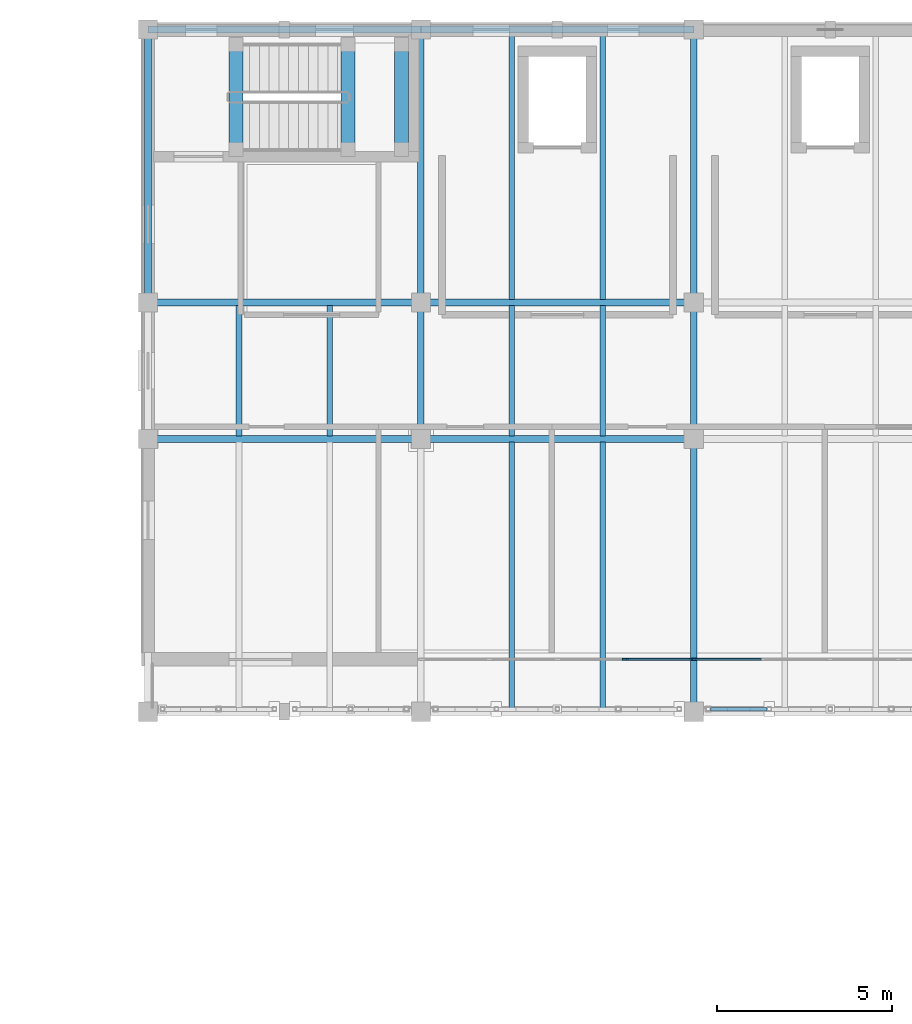
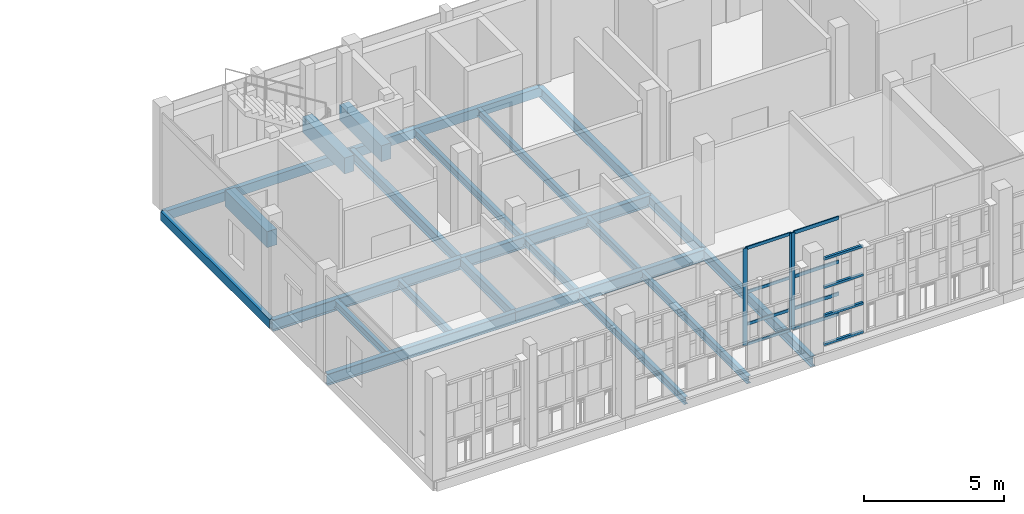
# One storey, part 49 of 119: 23 beams, 15 members, 2 elements without a shape of their own.
"""IFC4 building model written with IfcOpenShell, lengths in metres."""

from ifc_helpers import new_model, si_unit, direction, frame, origin, origin_2d, place, context, subcontext, project, spatial, rectangle, hollow_rectangle, i_section, extrude, material, layer, layer_set, material_profile, profile_set, type_object, element, aggregate, save


model = new_model("IFC4")

# Units and contexts
model_context = context("Model", 3, precision=1e-05, world=origin(), true_north=direction((0.0, 1.0)))
body_context = subcontext(model_context, "Body", "Model", "MODEL_VIEW")
ifc_project = project(units=[si_unit("LENGTHUNIT", "METRE"), si_unit("AREAUNIT", "SQUARE_METRE"), si_unit("VOLUMEUNIT", "CUBIC_METRE"), si_unit("PLANEANGLEUNIT", "RADIAN"), si_unit("MASSUNIT", "GRAM", prefix="KILO")], contexts=[model_context])

# Site, building, storey
site_placement = place(None, origin())
site = spatial("IfcSite", under=ifc_project, at=site_placement, CompositionType="ELEMENT")
building_placement = place(site_placement, origin())
building = spatial("IfcBuilding", under=site, at=building_placement, Name="Celorna Specialist Clinic", CompositionType="ELEMENT")
storey_placement = place(building_placement, frame((0.0, 0.0, 9.60009765625)))
storey = spatial("IfcBuildingStorey", under=building, at=storey_placement, Name="L02", CompositionType="ELEMENT", Elevation=9.60009765625)

# Beams
ifc_material_1 = material(Name="Steel S355", Category="steel")
ifc_material_profile_1 = material_profile(ifc_material_1, i_section(OverallWidth=0.199951171875, OverallDepth=0.5, WebThickness=0.01025390625, FlangeThickness=0.01611328125, at=origin_2d()), Name="IPE 500")
ifc_profile_set_1 = profile_set([ifc_material_profile_1], Name="Steel S355")
beam_type_1 = type_object("IfcBeamType", Name="BM-08", PredefinedType="BEAM", material=ifc_profile_set_1)
beam_1_placement = place(storey_placement, frame((46.800048828125, 104.300048828125, -0.510009765625), z_axis=(1.0, 0.0, 0.0), x_axis=(0.0, 1.0, 0.0)))
element("IfcBeam", 1, at=beam_1_placement, inside=storey, type_object=beam_type_1, Name="Primary girder BM-08 #1077", PredefinedType="BEAM", context=body_context, shape_type="SweptSolid", body=[
    extrude(i_section(OverallWidth=0.199951171875, OverallDepth=0.5, WebThickness=0.01025390625, FlangeThickness=0.01611328125, at=origin_2d()), origin(), (0.0, 0.0, 1.0), 7.800048828125),
])
beam_2_placement = place(storey_placement, frame((54.60009765625, 104.300048828125, -0.510009765625), z_axis=(1.0, 0.0, 0.0), x_axis=(0.0, 1.0, 0.0)))
element("IfcBeam", 2, at=beam_2_placement, inside=storey, type_object=beam_type_1, Name="Primary girder BM-08 #1078", PredefinedType="BEAM", context=body_context, shape_type="SweptSolid", body=[
    extrude(i_section(OverallWidth=0.199951171875, OverallDepth=0.5, WebThickness=0.01025390625, FlangeThickness=0.01611328125, at=origin_2d()), origin(), (0.0, 0.0, 1.0), 7.7998046875),
])
beam_3_placement = place(storey_placement, frame((46.800048828125, 108.199951171875, -0.510009765625), z_axis=(1.0, 0.0, 0.0), x_axis=(0.0, 1.0, 0.0)))
element("IfcBeam", 3, at=beam_3_placement, inside=storey, type_object=beam_type_1, Name="Primary girder BM-08 #1088", PredefinedType="BEAM", context=body_context, shape_type="SweptSolid", body=[
    extrude(i_section(OverallWidth=0.199951171875, OverallDepth=0.5, WebThickness=0.01025390625, FlangeThickness=0.01611328125, at=origin_2d()), origin(), (0.0, 0.0, 1.0), 7.800048828125),
])
beam_4_placement = place(storey_placement, frame((54.60009765625, 108.199951171875, -0.510009765625), z_axis=(1.0, 0.0, 0.0), x_axis=(0.0, 1.0, 0.0)))
element("IfcBeam", 4, at=beam_4_placement, inside=storey, type_object=beam_type_1, Name="Primary girder BM-08 #1089", PredefinedType="BEAM", context=body_context, shape_type="SweptSolid", body=[
    extrude(i_section(OverallWidth=0.199951171875, OverallDepth=0.5, WebThickness=0.01025390625, FlangeThickness=0.01611328125, at=origin_2d()), origin(), (0.0, 0.0, 1.0), 7.7998046875),
])
ifc_material_profile_2 = material_profile(ifc_material_1, i_section(OverallWidth=0.18994140625, OverallDepth=0.449951171875, WebThickness=0.009521484375, FlangeThickness=0.0146484375, at=origin_2d()), Name="IPE 450")
ifc_profile_set_2 = profile_set([ifc_material_profile_2], Name="Steel S355")
beam_type_2 = type_object("IfcBeamType", Name="BM-09", PredefinedType="BEAM", material=ifc_profile_set_2)
beam_5_placement = place(storey_placement, frame((54.60009765625, 104.300048828125, -0.485107421875), z_axis=(0.0, 1.0, 0.0), x_axis=(-1.0, 0.0, 0.0)))
element("IfcBeam", 5, at=beam_5_placement, inside=storey, type_object=beam_type_2, Name="Transverse girder BM-09 #1114", PredefinedType="BEAM", context=body_context, shape_type="SweptSolid", body=[
    extrude(i_section(OverallWidth=0.18994140625, OverallDepth=0.449951171875, WebThickness=0.009521484375, FlangeThickness=0.0146484375, at=origin_2d()), origin(), (0.0, 0.0, 1.0), 3.89990234375),
])
for number, where, z_axis, x_axis, name in (
    (6, (54.60009765625, 108.199951171875, -0.485107421875), (0.0, 1.0, 0.0), (-1.0, 0.0, 0.0), "Transverse girder BM-09 #1115"),
    (7, (62.39990234375, 96.5, -0.485107421875), (0.0, 1.0, 0.0), (-1.0, 0.0, 0.0), "Transverse girder BM-09 #1116"),
):
    element("IfcBeam", number, at=place(storey_placement, frame(where, z_axis=z_axis, x_axis=x_axis)), inside=storey, type_object=beam_type_2, Name=name, PredefinedType="BEAM", context=body_context, shape_type="SweptSolid", body=[
        extrude(i_section(OverallWidth=0.18994140625, OverallDepth=0.449951171875, WebThickness=0.009521484375, FlangeThickness=0.0146484375, at=origin_2d()), origin(), (0.0, 0.0, 1.0), 7.800048828125),
    ])
beam_6_placement = place(storey_placement, frame((62.39990234375, 104.300048828125, -0.485107421875), z_axis=(0.0, 1.0, 0.0), x_axis=(-1.0, 0.0, 0.0)))
element("IfcBeam", 8, at=beam_6_placement, inside=storey, type_object=beam_type_2, Name="Transverse girder BM-09 #1117", PredefinedType="BEAM", context=body_context, shape_type="SweptSolid", body=[
    extrude(i_section(OverallWidth=0.18994140625, OverallDepth=0.449951171875, WebThickness=0.009521484375, FlangeThickness=0.0146484375, at=origin_2d()), origin(), (0.0, 0.0, 1.0), 3.89990234375),
])
beam_7_placement = place(storey_placement, frame((62.39990234375, 108.199951171875, -0.485107421875), z_axis=(0.0, 1.0, 0.0), x_axis=(-1.0, 0.0, 0.0)))
element("IfcBeam", 9, at=beam_7_placement, inside=storey, type_object=beam_type_2, Name="Transverse girder BM-09 #1118", PredefinedType="BEAM", context=body_context, shape_type="SweptSolid", body=[
    extrude(i_section(OverallWidth=0.18994140625, OverallDepth=0.449951171875, WebThickness=0.009521484375, FlangeThickness=0.0146484375, at=origin_2d()), origin(), (0.0, 0.0, 1.0), 7.800048828125),
])
ifc_material_profile_3 = material_profile(ifc_material_1, i_section(OverallWidth=0.159912109375, OverallDepth=0.330078125, WebThickness=0.007568359375, FlangeThickness=0.011474609375, at=origin_2d()), Name="IPE 330")
ifc_profile_set_3 = profile_set([ifc_material_profile_3], Name="Steel S355")
beam_type_3 = type_object("IfcBeamType", Name="BM-12", PredefinedType="JOIST", material=ifc_profile_set_3)
for number, where, z_axis, x_axis, name in (
    (10, (49.39990234375, 104.387939453125, -0.425048828125), (0.0, 1.0, 0.0), (-1.0, 0.0, 0.0), "Secondary floor joist BM-12 #1147"),
    (11, (52.0, 104.387939453125, -0.425048828125), (0.0, 1.0, 0.0), (-1.0, 0.0, 0.0), "Secondary floor joist BM-12 #1148"),
):
    element("IfcBeam", number, at=place(storey_placement, frame(where, z_axis=z_axis, x_axis=x_axis)), inside=storey, type_object=beam_type_3, Name=name, PredefinedType="JOIST", context=body_context, shape_type="SweptSolid", body=[
        extrude(i_section(OverallWidth=0.159912109375, OverallDepth=0.330078125, WebThickness=0.007568359375, FlangeThickness=0.011474609375, at=origin_2d()), origin(), (0.0, 0.0, 1.0), 3.72412109375),
    ])
for number, where, z_axis, x_axis, name in (
    (12, (57.199951171875, 96.587890625, -0.425048828125), (0.0, 1.0, 0.0), (-1.0, 0.0, 0.0), "Secondary floor joist BM-12 #1149"),
    (13, (59.800048828125, 96.587890625, -0.425048828125), (0.0, 1.0, 0.0), (-1.0, 0.0, 0.0), "Secondary floor joist BM-12 #1150"),
):
    element("IfcBeam", number, at=place(storey_placement, frame(where, z_axis=z_axis, x_axis=x_axis)), inside=storey, type_object=beam_type_3, Name=name, PredefinedType="JOIST", context=body_context, shape_type="SweptSolid", body=[
        extrude(i_section(OverallWidth=0.159912109375, OverallDepth=0.330078125, WebThickness=0.007568359375, FlangeThickness=0.011474609375, at=origin_2d()), origin(), (0.0, 0.0, 1.0), 7.6240234375),
    ])
for number, where, z_axis, x_axis, name in (
    (14, (57.199951171875, 104.387939453125, -0.425048828125), (0.0, 1.0, 0.0), (-1.0, 0.0, 0.0), "Secondary floor joist BM-12 #1151"),
    (15, (59.800048828125, 104.387939453125, -0.425048828125), (0.0, 1.0, 0.0), (-1.0, 0.0, 0.0), "Secondary floor joist BM-12 #1152"),
):
    element("IfcBeam", number, at=place(storey_placement, frame(where, z_axis=z_axis, x_axis=x_axis)), inside=storey, type_object=beam_type_3, Name=name, PredefinedType="JOIST", context=body_context, shape_type="SweptSolid", body=[
        extrude(i_section(OverallWidth=0.159912109375, OverallDepth=0.330078125, WebThickness=0.007568359375, FlangeThickness=0.011474609375, at=origin_2d()), origin(), (0.0, 0.0, 1.0), 3.72412109375),
    ])
for number, where, z_axis, x_axis, name in (
    (16, (57.199951171875, 108.2880859375, -0.425048828125), (0.0, 1.0, 0.0), (-1.0, 0.0, 0.0), "Secondary floor joist BM-12 #1153"),
    (17, (59.800048828125, 108.2880859375, -0.425048828125), (0.0, 1.0, 0.0), (-1.0, 0.0, 0.0), "Secondary floor joist BM-12 #1154"),
):
    element("IfcBeam", number, at=place(storey_placement, frame(where, z_axis=z_axis, x_axis=x_axis)), inside=storey, type_object=beam_type_3, Name=name, PredefinedType="JOIST", context=body_context, shape_type="SweptSolid", body=[
        extrude(i_section(OverallWidth=0.159912109375, OverallDepth=0.330078125, WebThickness=0.007568359375, FlangeThickness=0.011474609375, at=origin_2d()), origin(), (0.0, 0.0, 1.0), 7.6240234375),
    ])
ifc_material_profile_4 = material_profile(ifc_material_1, hollow_rectangle(XDim=0.199951171875, YDim=0.39990234375, WallThickness=0.011962890625, at=origin_2d()), Name="RHS 200x400x12")
ifc_profile_set_4 = profile_set([ifc_material_profile_4], Name="Steel S355")
beam_type_4 = type_object("IfcBeamType", Name="BM-15", PredefinedType="SPANDREL", material=ifc_profile_set_4)
beam_8_placement = place(storey_placement, frame((46.800048828125, 116.0, -0.460205078125), z_axis=(1.0, 0.0, 0.0), x_axis=(0.0, 1.0, 0.0)))
element("IfcBeam", 18, at=beam_8_placement, inside=storey, type_object=beam_type_4, Name="Spandrel beam BM-15 #1099", PredefinedType="SPANDREL", context=body_context, shape_type="SweptSolid", body=[
    extrude(hollow_rectangle(XDim=0.199951171875, YDim=0.39990234375, WallThickness=0.011962890625, at=origin_2d()), origin(), (0.0, 0.0, 1.0), 7.800048828125),
])
beam_9_placement = place(storey_placement, frame((54.60009765625, 116.0, -0.460205078125), z_axis=(1.0, 0.0, 0.0), x_axis=(0.0, 1.0, 0.0)))
element("IfcBeam", 19, at=beam_9_placement, inside=storey, type_object=beam_type_4, Name="Spandrel beam BM-15 #1100", PredefinedType="SPANDREL", context=body_context, shape_type="SweptSolid", body=[
    extrude(hollow_rectangle(XDim=0.199951171875, YDim=0.39990234375, WallThickness=0.011962890625, at=origin_2d()), origin(), (0.0, 0.0, 1.0), 7.7998046875),
])
beam_10_placement = place(storey_placement, frame((46.800048828125, 108.199951171875, -0.460205078125), z_axis=(0.0, 1.0, 0.0), x_axis=(-1.0, 0.0, 0.0)))
element("IfcBeam", 20, at=beam_10_placement, inside=storey, type_object=beam_type_4, Name="Spandrel beam BM-15 #1112", PredefinedType="SPANDREL", context=body_context, shape_type="SweptSolid", body=[
    extrude(hollow_rectangle(XDim=0.199951171875, YDim=0.39990234375, WallThickness=0.011962890625, at=origin_2d()), origin(), (0.0, 0.0, 1.0), 7.800048828125),
])
ifc_material_2 = material(Name="Concrete C35/45", Category="concrete")
ifc_material_profile_5 = material_profile(ifc_material_2, rectangle(XDim=0.39990234375, YDim=0.699951171875, at=origin_2d()), Name="RC 400x700")
ifc_profile_set_5 = profile_set([ifc_material_profile_5], Name="Concrete C35/45")
beam_type_5 = type_object("IfcBeamType", Name="BM-19", PredefinedType="BEAM", material=ifc_profile_set_5)
for number, where, z_axis, x_axis, name in (
    (21, (49.320068359375, 112.570068359375, -0.275146484375), (0.0, 1.0, 0.0), (-1.0, 0.0, 0.0), "Stair ST-01 floor landing trimmer beam L02"),
    (22, (52.52001953125, 112.570068359375, 1.824951171875), (0.0, 1.0, 0.0), (-1.0, 0.0, 0.0), "Stair ST-01 half-landing beam L02"),
    (23, (54.0400390625, 112.570068359375, 1.824951171875), (0.0, 1.0, 0.0), (-1.0, 0.0, 0.0), "Stair ST-01 half-landing beam L02"),
):
    element("IfcBeam", number, at=place(storey_placement, frame(where, z_axis=z_axis, x_axis=x_axis)), inside=storey, type_object=beam_type_5, Name=name, PredefinedType="BEAM", context=body_context, shape_type="SweptSolid", body=[
        extrude(rectangle(XDim=0.39990234375, YDim=0.699951171875, at=origin_2d()), origin(), (0.0, 0.0, 1.0), 3.0),
    ])

# Members
ifc_material_profile_6 = material_profile(ifc_material_1, hollow_rectangle(XDim=0.10009765625, YDim=0.10009765625, WallThickness=0.006103515625, at=origin_2d()), Name="SHS 100x100x6")
ifc_profile_set_6 = profile_set([ifc_material_profile_6], Name="Steel S355")
member_type_1 = type_object("IfcMemberType", Name="MB-12", PredefinedType="STUD", material=ifc_profile_set_6)
for number, where, z_axis, x_axis, name in (
    (24, (62.875, 96.580078125, 0.0498046875), (1.0, 0.0, 0.0), (0.0, 1.0, 0.0), "Perforated screen rail #1043"),
    (25, (62.875, 96.580078125, 1.296630859375), (1.0, 0.0, 0.0), (0.0, 1.0, 0.0), "Perforated screen rail #1044"),
    (26, (62.875, 96.580078125, 2.543212890625), (1.0, 0.0, 0.0), (0.0, 1.0, 0.0), "Perforated screen rail #1045"),
    (27, (62.875, 96.580078125, 3.789794921875), (1.0, 0.0, 0.0), (0.0, 1.0, 0.0), "Perforated screen rail #1046"),
):
    element("IfcMember", number, at=place(storey_placement, frame(where, z_axis=z_axis, x_axis=x_axis)), inside=storey, type_object=member_type_1, Name=name, PredefinedType="STUD", context=body_context, shape_type="SweptSolid", body=[
        extrude(hollow_rectangle(XDim=0.10009765625, YDim=0.10009765625, WallThickness=0.006103515625, at=origin_2d()), origin(), (0.0, 0.0, 1.0), 1.62255859375),
    ])

# Curtain wall, members
ifc_material_3 = material(Name="Thermally broken aluminium and solar-control glass curtain wall", Category="aluminium")
ifc_layer_1 = layer(ifc_material_3, 0.159912109375, Name="Thermally broken aluminium and solar-control glass curtain wall")
ifc_layer_set_1 = layer_set([ifc_layer_1], Name="Thermally broken aluminium and solar-control glass curtain wall")
curtain_wall_type_1 = type_object("IfcCurtainWallType", Name="CW-67", PredefinedType="NOTDEFINED", material=ifc_layer_set_1)
curtain_wall_1_placement = place(storey_placement, origin())
curtain_wall_1 = element("IfcCurtainWall", 28, at=curtain_wall_1_placement, inside=storey, type_object=curtain_wall_type_1, Name="Curtain wall CW-67 #121", PredefinedType="NOTDEFINED")
ifc_material_4 = material(Name="Anodized aluminium mullion", Category="aluminium")
ifc_material_profile_7 = material_profile(ifc_material_4, rectangle(XDim=0.050048828125, YDim=0.179931640625, at=origin_2d()), Name="ALU MULLION 50x180")
ifc_profile_set_7 = profile_set([ifc_material_profile_7], Name="Anodized aluminium mullion")
member_type_2 = type_object("IfcMemberType", Name="ML-02", PredefinedType="MULLION", material=ifc_profile_set_7)
member_1_placement = place(storey_placement, frame((62.37109375, 98.0, 0.0), z_axis=(0.0, 0.0, 1.0), x_axis=(0.0, -1.0, 0.0)))
member_1 = element("IfcMember", 29, at=member_1_placement, type_object=member_type_2, Name="CW-67 mullion 1", PredefinedType="MULLION", context=body_context, shape_type="SweptSolid", body=[
    extrude(rectangle(XDim=0.050048828125, YDim=0.179931640625, at=origin_2d()), origin(), (0.0, 0.0, 1.0), 4.239990234375),
])
member_2_placement = place(storey_placement, frame((60.447998046875, 98.0, 0.0), z_axis=(0.0, 0.0, 1.0), x_axis=(0.0, -1.0, 0.0)))
member_2 = element("IfcMember", 30, at=member_2_placement, type_object=member_type_2, Name="CW-67 mullion 2", PredefinedType="MULLION", context=body_context, shape_type="SweptSolid", body=[
    extrude(rectangle(XDim=0.050048828125, YDim=0.179931640625, at=origin_2d()), origin(), (0.0, 0.0, 1.0), 4.239990234375),
])

# Curtain wall, member
ifc_layer_2 = layer(ifc_material_3, 0.159912109375, Name="Thermally broken aluminium and solar-control glass curtain wall")
ifc_layer_set_2 = layer_set([ifc_layer_2], Name="Thermally broken aluminium and solar-control glass curtain wall")
curtain_wall_type_2 = type_object("IfcCurtainWallType", Name="CW-32", PredefinedType="NOTDEFINED", material=ifc_layer_set_2)
curtain_wall_2_placement = place(storey_placement, origin())
curtain_wall_2 = element("IfcCurtainWall", 31, at=curtain_wall_2_placement, inside=storey, type_object=curtain_wall_type_2, Name="Curtain wall CW-32 #122", PredefinedType="NOTDEFINED")
ifc_material_profile_8 = material_profile(ifc_material_4, rectangle(XDim=0.050048828125, YDim=0.139892578125, at=origin_2d()), Name="ALU MULLION 50x140")
ifc_profile_set_8 = profile_set([ifc_material_profile_8], Name="Anodized aluminium mullion")
member_type_3 = type_object("IfcMemberType", Name="ML-03", PredefinedType="MULLION", material=ifc_profile_set_8)
member_3_placement = place(storey_placement, frame((62.428955078125, 98.0, 0.0), z_axis=(0.0, 0.0, 1.0), x_axis=(0.0, -1.0, 0.0)))
member_3 = element("IfcMember", 32, at=member_3_placement, type_object=member_type_3, Name="CW-32 mullion 5", PredefinedType="MULLION", context=body_context, shape_type="SweptSolid", body=[
    extrude(rectangle(XDim=0.050048828125, YDim=0.139892578125, at=origin_2d()), origin(), (0.0, 0.0, 1.0), 4.239990234375),
])

# Member
ifc_material_5 = material(Name="Anodized aluminium transom", Category="aluminium")
ifc_material_profile_9 = material_profile(ifc_material_5, rectangle(XDim=0.050048828125, YDim=0.1298828125, at=origin_2d()), Name="ALU TRANSOM 50x130")
ifc_profile_set_9 = profile_set([ifc_material_profile_9], Name="Anodized aluminium transom")
member_type_4 = type_object("IfcMemberType", Name="TR-01", PredefinedType="USERDEFINED", material=ifc_profile_set_9)
member_4_placement = place(storey_placement, frame((62.345947265625, 98.0, 0.02490234375), z_axis=(-1.0, 0.0, 0.0), x_axis=(0.0, -1.0, 0.0)))
member_4 = element("IfcMember", 33, at=member_4_placement, type_object=member_type_4, Name="CW-67 transom 1.1", ObjectType="TRANSOM", PredefinedType="USERDEFINED", context=body_context, shape_type="SweptSolid", body=[
    extrude(rectangle(XDim=0.050048828125, YDim=0.1298828125, at=origin_2d()), origin(), (0.0, 0.0, 1.0), 1.873046875),
])

member_5_placement = place(storey_placement, frame((62.345947265625, 98.0, 0.89990234375), z_axis=(-1.0, 0.0, 0.0), x_axis=(0.0, -1.0, 0.0)))
member_5 = element("IfcMember", 34, at=member_5_placement, type_object=member_type_4, Name="CW-67 transom 1.2", ObjectType="TRANSOM", PredefinedType="USERDEFINED", context=body_context, shape_type="SweptSolid", body=[
    extrude(rectangle(XDim=0.050048828125, YDim=0.1298828125, at=origin_2d()), origin(), (0.0, 0.0, 1.0), 1.873046875),
])

member_6_placement = place(storey_placement, frame((62.345947265625, 98.0, 2.2998046875), z_axis=(-1.0, 0.0, 0.0), x_axis=(0.0, -1.0, 0.0)))
member_6 = element("IfcMember", 35, at=member_6_placement, type_object=member_type_4, Name="CW-67 transom 1.3", ObjectType="TRANSOM", PredefinedType="USERDEFINED", context=body_context, shape_type="SweptSolid", body=[
    extrude(rectangle(XDim=0.050048828125, YDim=0.1298828125, at=origin_2d()), origin(), (0.0, 0.0, 1.0), 1.873046875),
])

member_7_placement = place(storey_placement, frame((62.345947265625, 98.0, 4.21484375), z_axis=(-1.0, 0.0, 0.0), x_axis=(0.0, -1.0, 0.0)))
member_7 = element("IfcMember", 36, at=member_7_placement, type_object=member_type_4, Name="CW-67 transom 1.4", ObjectType="TRANSOM", PredefinedType="USERDEFINED", context=body_context, shape_type="SweptSolid", body=[
    extrude(rectangle(XDim=0.050048828125, YDim=0.1298828125, at=origin_2d()), origin(), (0.0, 0.0, 1.0), 1.873046875),
])

aggregate(curtain_wall_1, [member_1, member_2, member_4, member_5, member_6, member_7])

ifc_material_profile_10 = material_profile(ifc_material_5, rectangle(XDim=0.050048828125, YDim=0.14990234375, at=origin_2d()), Name="ALU TRANSOM 50x150")
ifc_profile_set_10 = profile_set([ifc_material_profile_10], Name="Anodized aluminium transom")
member_type_5 = type_object("IfcMemberType", Name="TR-02", PredefinedType="USERDEFINED", material=ifc_profile_set_10)
member_8_placement = place(storey_placement, frame((64.326904296875, 98.0, 0.02490234375), z_axis=(-1.0, 0.0, 0.0), x_axis=(0.0, -1.0, 0.0)))
member_8 = element("IfcMember", 37, at=member_8_placement, type_object=member_type_5, Name="CW-32 transom 4.1", ObjectType="TRANSOM", PredefinedType="USERDEFINED", context=body_context, shape_type="SweptSolid", body=[
    extrude(rectangle(XDim=0.050048828125, YDim=0.14990234375, at=origin_2d()), origin(), (0.0, 0.0, 1.0), 1.872802734375),
])

member_9_placement = place(storey_placement, frame((64.326904296875, 98.0, 0.89990234375), z_axis=(-1.0, 0.0, 0.0), x_axis=(0.0, -1.0, 0.0)))
member_9 = element("IfcMember", 38, at=member_9_placement, type_object=member_type_5, Name="CW-32 transom 4.2", ObjectType="TRANSOM", PredefinedType="USERDEFINED", context=body_context, shape_type="SweptSolid", body=[
    extrude(rectangle(XDim=0.050048828125, YDim=0.14990234375, at=origin_2d()), origin(), (0.0, 0.0, 1.0), 1.872802734375),
])

member_10_placement = place(storey_placement, frame((64.326904296875, 98.0, 2.2998046875), z_axis=(-1.0, 0.0, 0.0), x_axis=(0.0, -1.0, 0.0)))
member_10 = element("IfcMember", 39, at=member_10_placement, type_object=member_type_5, Name="CW-32 transom 4.3", ObjectType="TRANSOM", PredefinedType="USERDEFINED", context=body_context, shape_type="SweptSolid", body=[
    extrude(rectangle(XDim=0.050048828125, YDim=0.14990234375, at=origin_2d()), origin(), (0.0, 0.0, 1.0), 1.872802734375),
])

member_11_placement = place(storey_placement, frame((64.326904296875, 98.0, 4.21484375), z_axis=(-1.0, 0.0, 0.0), x_axis=(0.0, -1.0, 0.0)))
member_11 = element("IfcMember", 40, at=member_11_placement, type_object=member_type_5, Name="CW-32 transom 4.4", ObjectType="TRANSOM", PredefinedType="USERDEFINED", context=body_context, shape_type="SweptSolid", body=[
    extrude(rectangle(XDim=0.050048828125, YDim=0.14990234375, at=origin_2d()), origin(), (0.0, 0.0, 1.0), 1.872802734375),
])

aggregate(curtain_wall_2, [member_3, member_8, member_9, member_10, member_11])

save(model, "model.ifc")
